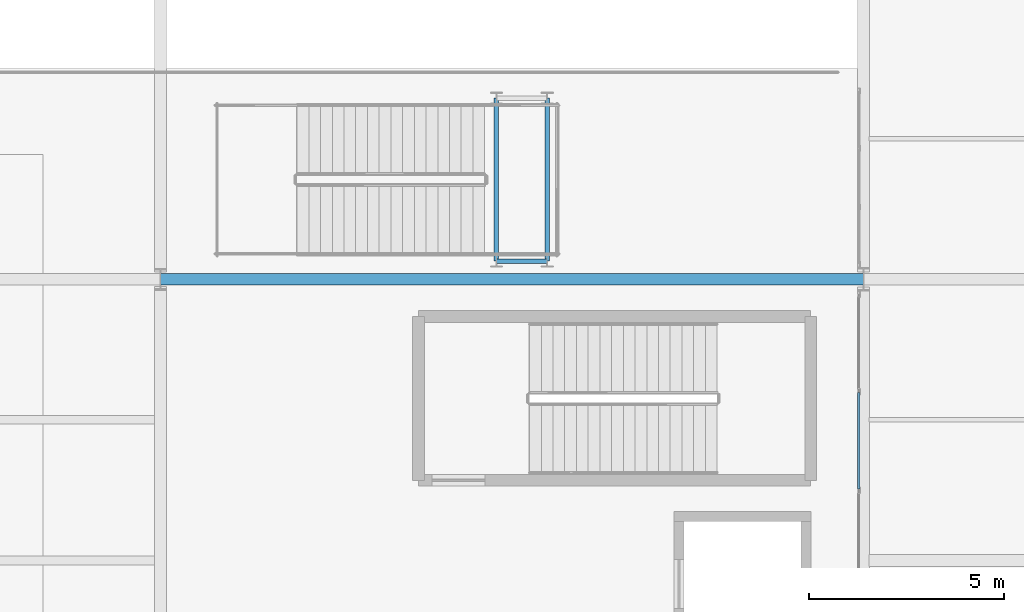
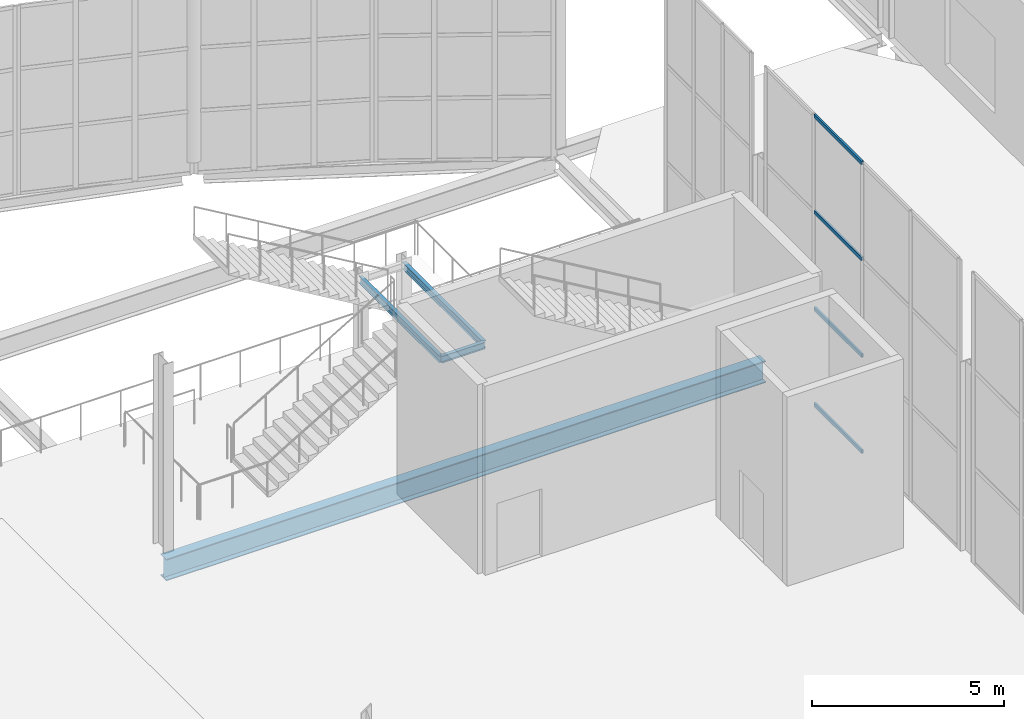
# One storey, part 121 of 191: 4 beams, 4 members, 1 element without a shape of its own.
"""IFC4 building model written with IfcOpenShell, lengths in metres."""

from ifc_helpers import new_model, si_unit, direction, frame, origin, origin_2d, place, context, subcontext, project, spatial, hollow_rectangle, i_section, extrude, material, layer, layer_set, material_profile, profile_set, type_object, element, aggregate, save


model = new_model("IFC4")

# Units and contexts
model_context = context("Model", 3, precision=1e-05, world=origin(), true_north=direction((0.0, 1.0)))
body_context = subcontext(model_context, "Body", "Model", "MODEL_VIEW")
ifc_project = project(units=[si_unit("LENGTHUNIT", "METRE"), si_unit("AREAUNIT", "SQUARE_METRE"), si_unit("VOLUMEUNIT", "CUBIC_METRE"), si_unit("PLANEANGLEUNIT", "RADIAN"), si_unit("MASSUNIT", "GRAM", prefix="KILO")], contexts=[model_context])

# Site, building, storey
site_placement = place(None, origin())
site = spatial("IfcSite", under=ifc_project, at=site_placement, CompositionType="ELEMENT")
building_placement = place(site_placement, origin())
building = spatial("IfcBuilding", under=site, at=building_placement, Name="Tamarisk Ironworks Central Station", CompositionType="ELEMENT")
storey_placement = place(building_placement, frame((0.0, 0.0, 6.60009765625)))
storey = spatial("IfcBuildingStorey", under=building, at=storey_placement, Name="L01", CompositionType="ELEMENT", Elevation=6.60009765625)

# Beams
ifc_material_1 = material(Name="Structural steel S355J2", Category="steel")
ifc_material_profile_1 = material_profile(ifc_material_1, i_section(OverallWidth=0.300048828125, OverallDepth=0.68994140625, WebThickness=0.014404296875, FlangeThickness=0.027099609375, at=origin_2d()), Name="HEA 700")
ifc_profile_set_1 = profile_set([ifc_material_profile_1], Name="Structural steel S355J2")
beam_type_1 = type_object("IfcBeamType", Name="BM-G01", PredefinedType="BEAM", material=ifc_profile_set_1)
beam_1_placement = place(storey_placement, frame((90.00390625, 100.800048828125, -0.64501953125), z_axis=(1.0, 0.0, 0.0), x_axis=(0.0, 1.0, 0.0)))
element("IfcBeam", 1, at=beam_1_placement, inside=storey, type_object=beam_type_1, Name="L01 primary girder X-0118", PredefinedType="BEAM", context=body_context, shape_type="SweptSolid", body=[
    extrude(i_section(OverallWidth=0.300048828125, OverallDepth=0.68994140625, WebThickness=0.014404296875, FlangeThickness=0.027099609375, at=origin_2d()), origin(), (0.0, 0.0, 1.0), 17.9921875),
])
ifc_material_profile_2 = material_profile(ifc_material_1, i_section(OverallWidth=0.110107421875, OverallDepth=0.219970703125, WebThickness=0.005859375, FlangeThickness=0.00927734375, at=origin_2d()), Name="IPE 220")
ifc_profile_set_2 = profile_set([ifc_material_profile_2], Name="Structural steel S355J2")
beam_type_2 = type_object("IfcBeamType", Name="BM-J02", PredefinedType="JOIST", material=ifc_profile_set_2)
beam_2_placement = place(storey_placement, frame((98.60009765625, 101.264892578125, 2.679931640625), z_axis=(1.0, 0.0, 0.0), x_axis=(0.0, 1.0, 0.0)))
element("IfcBeam", 2, at=beam_2_placement, inside=storey, type_object=beam_type_2, Name="ST-MZ2 landing frame beam Z1-1", PredefinedType="JOIST", context=body_context, shape_type="SweptSolid", body=[
    extrude(i_section(OverallWidth=0.110107421875, OverallDepth=0.219970703125, WebThickness=0.005859375, FlangeThickness=0.00927734375, at=origin_2d()), origin(), (0.0, 0.0, 1.0), 1.2998046875),
])
for number, where, z_axis, x_axis, name in (
    (3, (98.60009765625, 101.264892578125, 2.679931640625), (0.0, 1.0, 0.0), (-1.0, 0.0, 0.0), "ST-MZ2 landing frame beam Z1-3"),
    (4, (99.89990234375, 101.264892578125, 2.679931640625), (0.0, 1.0, 0.0), (-1.0, 0.0, 0.0), "ST-MZ2 landing frame beam Z1-4"),
):
    element("IfcBeam", number, at=place(storey_placement, frame(where, z_axis=z_axis, x_axis=x_axis)), inside=storey, type_object=beam_type_2, Name=name, PredefinedType="JOIST", context=body_context, shape_type="SweptSolid", body=[
        extrude(i_section(OverallWidth=0.110107421875, OverallDepth=0.219970703125, WebThickness=0.005859375, FlangeThickness=0.00927734375, at=origin_2d()), origin(), (0.0, 0.0, 1.0), 4.170166015625),
    ])

# Curtain wall, members
ifc_material_2 = material(Name="Anodized aluminium alloy 6063-T6", Category="aluminium")
ifc_layer = layer(ifc_material_2, 0.179931640625)
ifc_layer_set = layer_set([ifc_layer], Name="Anodized aluminium alloy 6063-T6")
curtain_wall_type = type_object("IfcCurtainWallType", Name="CW-08", PredefinedType="USERDEFINED", material=ifc_layer_set)
curtain_wall_placement = place(storey_placement, origin())
curtain_wall = element("IfcCurtainWall", 5, at=curtain_wall_placement, inside=storey, type_object=curtain_wall_type, Name="Concourse E track-overlook curtain wall 07", ObjectType="GLAZED CURTAIN WALL", PredefinedType="USERDEFINED")
ifc_material_profile_3 = material_profile(ifc_material_2, hollow_rectangle(XDim=0.06005859375, YDim=0.114990234375, WallThickness=0.00341796875, at=origin_2d()), Name="ALUM 115x60")
ifc_profile_set_3 = profile_set([ifc_material_profile_3], Name="Anodized aluminium alloy 6063-T6")
member_type = type_object("IfcMemberType", Name="CWT-03", PredefinedType="USERDEFINED", material=ifc_profile_set_3)
member_1_placement = place(storey_placement, frame((107.8798828125, 95.426025390625, 0.02978515625), z_axis=(0.0, 1.0, 0.0), x_axis=(-1.0, 0.0, 0.0)))
member_1 = element("IfcMember", 6, at=member_1_placement, type_object=member_type, Name="CW08 transom 3.1", ObjectType="TRANSOM", PredefinedType="USERDEFINED", context=body_context, shape_type="SweptSolid", body=[
    extrude(hollow_rectangle(XDim=0.06005859375, YDim=0.114990234375, WallThickness=0.00341796875, at=origin_2d()), origin(), (0.0, 0.0, 1.0), 2.472900390625),
])
member_2_placement = place(storey_placement, frame((107.8798828125, 95.426025390625, 3.0732421875), z_axis=(0.0, 1.0, 0.0), x_axis=(-1.0, 0.0, 0.0)))
member_2 = element("IfcMember", 7, at=member_2_placement, type_object=member_type, Name="CW08 transom 3.2", ObjectType="TRANSOM", PredefinedType="USERDEFINED", context=body_context, shape_type="SweptSolid", body=[
    extrude(hollow_rectangle(XDim=0.06005859375, YDim=0.114990234375, WallThickness=0.00341796875, at=origin_2d()), origin(), (0.0, 0.0, 1.0), 2.472900390625),
])
member_3_placement = place(storey_placement, frame((107.8798828125, 95.426025390625, 6.146484375), z_axis=(0.0, 1.0, 0.0), x_axis=(-1.0, 0.0, 0.0)))
member_3 = element("IfcMember", 8, at=member_3_placement, type_object=member_type, Name="CW08 transom 3.3", ObjectType="TRANSOM", PredefinedType="USERDEFINED", context=body_context, shape_type="SweptSolid", body=[
    extrude(hollow_rectangle(XDim=0.06005859375, YDim=0.114990234375, WallThickness=0.00341796875, at=origin_2d()), origin(), (0.0, 0.0, 1.0), 2.472900390625),
])
member_4_placement = place(storey_placement, frame((107.8798828125, 95.426025390625, 9.18994140625), z_axis=(0.0, 1.0, 0.0), x_axis=(-1.0, 0.0, 0.0)))
member_4 = element("IfcMember", 9, at=member_4_placement, type_object=member_type, Name="CW08 transom 3.4", ObjectType="TRANSOM", PredefinedType="USERDEFINED", context=body_context, shape_type="SweptSolid", body=[
    extrude(hollow_rectangle(XDim=0.06005859375, YDim=0.114990234375, WallThickness=0.00341796875, at=origin_2d()), origin(), (0.0, 0.0, 1.0), 2.472900390625),
])
aggregate(curtain_wall, [member_1, member_2, member_3, member_4])

save(model, "model.ifc")
